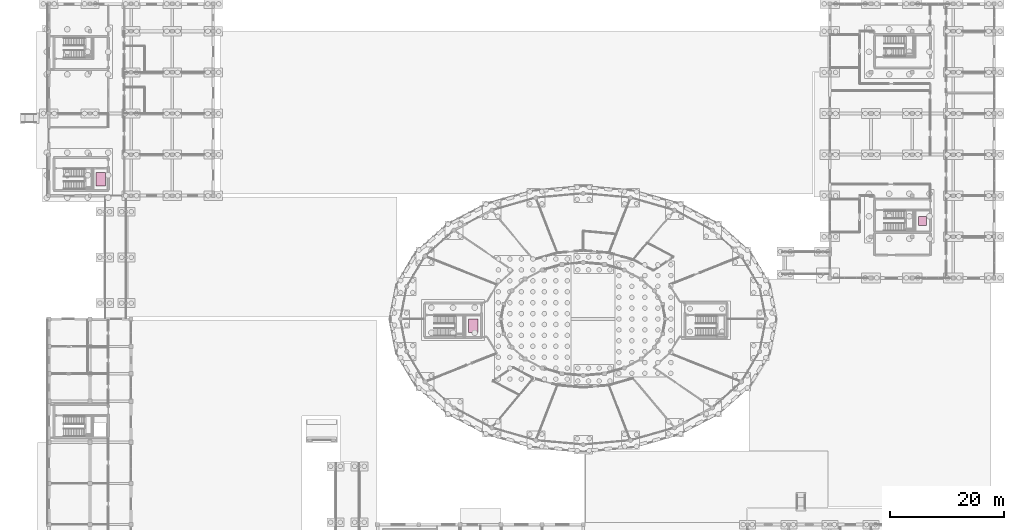
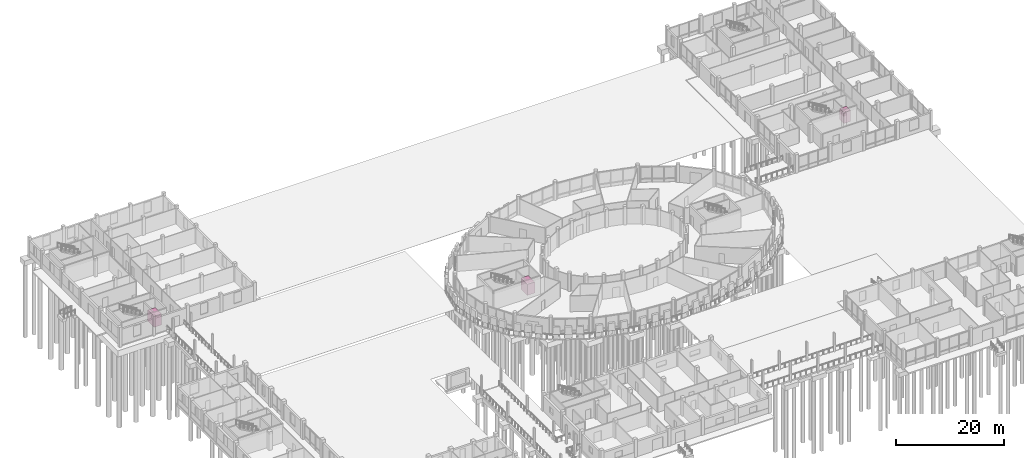
# One storey, part 98 of 98: 3 transport elements.
"""IFC4 building model written with IfcOpenShell, lengths in metres."""

from ifc_helpers import new_model, si_unit, direction, frame, origin, origin_2d, place, context, subcontext, project, spatial, rectangle, extrude, material, type_object, element, save


model = new_model("IFC4")

# Units and contexts
model_context = context("Model", 3, precision=1e-05, world=origin(), true_north=direction((0.0, 1.0)))
body_context = subcontext(model_context, "Body", "Model", "MODEL_VIEW")
ifc_project = project(units=[si_unit("LENGTHUNIT", "METRE"), si_unit("AREAUNIT", "SQUARE_METRE"), si_unit("VOLUMEUNIT", "CUBIC_METRE"), si_unit("PLANEANGLEUNIT", "RADIAN"), si_unit("MASSUNIT", "GRAM", prefix="KILO")], contexts=[model_context])

# Site, building, storey
site_placement = place(None, origin())
site = spatial("IfcSite", under=ifc_project, at=site_placement, CompositionType="ELEMENT")
building_placement = place(site_placement, origin())
building = spatial("IfcBuilding", under=site, at=building_placement, Name="Zornivar Specialist Clinic", CompositionType="ELEMENT")
storey_placement = place(building_placement, origin())
storey = spatial("IfcBuildingStorey", under=building, at=storey_placement, Name="L00", CompositionType="ELEMENT", Elevation=0.0)

# Transport elements
ifc_material_1 = material(Name="Stainless Steel Accessible Passenger Lift Car", Category="steel")
transport_element_type_1 = type_object("IfcTransportElementType", Name="LFT-CLINICAL-1000", PredefinedType="ELEVATOR", material=ifc_material_1)
transport_element_placement = place(storey_placement, frame((153.0400390625, 74.800048828125, 0.0), z_axis=(0.0, 0.0, 1.0), x_axis=(1.0, 0.0, 0.0)))
element("IfcTransportElement", 1, at=transport_element_placement, inside=storey, type_object=transport_element_type_1, Name="Clinical Lift LF-06", PredefinedType="ELEVATOR", context=body_context, shape_type="SweptSolid", body=[
    extrude(rectangle(XDim=1.39990234375, YDim=1.60009765625, at=origin_2d()), origin(), (0.0, 0.0, 1.0), 2.5),
])
ifc_material_2 = material(Name="Stainless Steel Clinical Stretcher Lift Car", Category="steel")
transport_element_type_2 = type_object("IfcTransportElementType", Name="LFT-STRETCHER-1600", PredefinedType="ELEVATOR", material=ifc_material_2)
for number, where, z_axis, x_axis, name in (
    (2, (74.340087890625, 56.39990234375, 0.0), (0.0, 0.0, 1.0), (1.0, 0.0, 0.0), "Clinical Lift LF-02"),
    (3, (9.090087890625, 82.10009765625, 0.0), (0.0, 0.0, 1.0), (1.0, 0.0, 0.0), "Clinical Lift LF-05"),
):
    element("IfcTransportElement", number, at=place(storey_placement, frame(where, z_axis=z_axis, x_axis=x_axis)), inside=storey, type_object=transport_element_type_2, Name=name, PredefinedType="ELEVATOR", context=body_context, shape_type="SweptSolid", body=[
        extrude(rectangle(XDim=1.60009765625, YDim=2.39990234375, at=origin_2d()), origin(), (0.0, 0.0, 1.0), 2.5),
    ])

save(model, "model.ifc")
